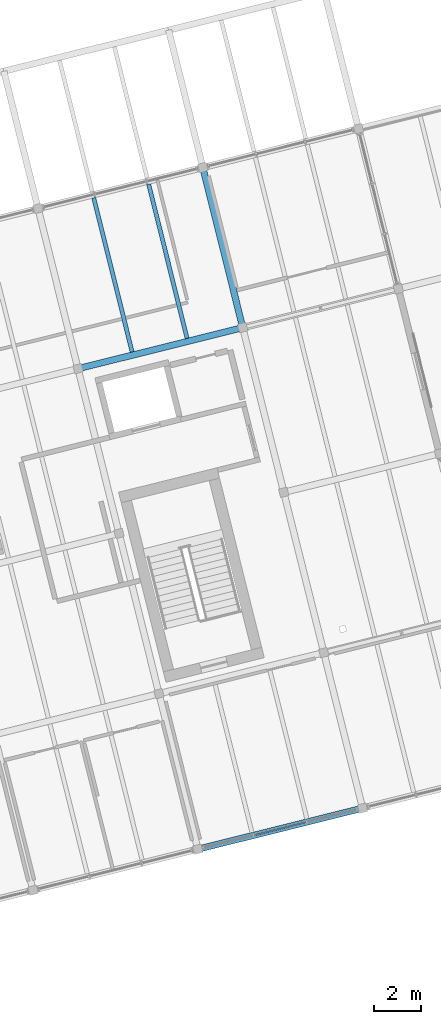
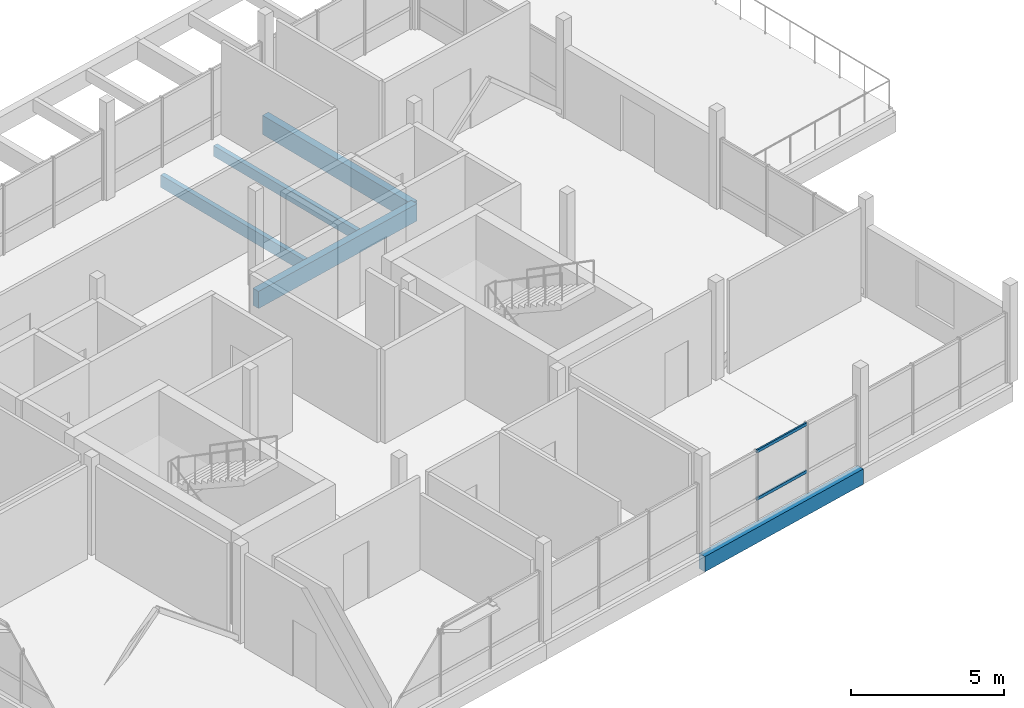
# One storey, part 14 of 28: 5 beams, 2 members, 1 element without a shape of its own.
"""IFC4 building model written with IfcOpenShell, lengths in metres."""

import ifcopenshell
import ifcopenshell.guid

model = None  # the IFC model being written
_history = None  # IfcOwnerHistory: only IFC2X3 demands one
_inside = {}  # id of a spatial element -> (the spatial element, [elements in it])
_under = {}  # id of a project, library or spatial element -> (it, [spatial elements below it])
_declared = {}  # id of a project -> (the project, [libraries it declares])
_typed = {}  # id of a type object -> (the type object, [elements of that type])
_made_of = {}  # id of a material, layer set ... -> (it, [elements and type objects made of it])


def new_model(schema):
    """Start an empty IFC model of exactly this schema.

    Asked for "IFC4X3", IfcOpenShell would pick the latest addendum, in which some entities
    have other attributes; the version numbers below select the first issue.
    IFC2X3 requires an IfcOwnerHistory on every rooted entity: one is made here for all.
    """
    global model, _history
    if schema == "IFC4X3":
        model = ifcopenshell.file(schema_version=(4, 3, 0, 0))
    else:
        model = ifcopenshell.file(schema=schema)
    _inside.clear()
    _under.clear()
    _declared.clear()
    _typed.clear()
    _made_of.clear()
    _history = None
    if model.schema == "IFC2X3":
        org = make("IfcOrganization", Name="unknown")
        user = make(
            "IfcPersonAndOrganization",
            ThePerson=make("IfcPerson", FamilyName="unknown"),
            TheOrganization=org,
        )
        app = make(
            "IfcApplication",
            ApplicationDeveloper=org,
            Version="unknown",
            ApplicationFullName="unknown",
            ApplicationIdentifier="unknown",
        )
        _history = make(
            "IfcOwnerHistory",
            OwningUser=user,
            OwningApplication=app,
            ChangeAction="ADDED",
            CreationDate=0,
        )
    return model


def make(cls, **values):
    """One entity of the class cls with the attributes given. An attribute that is None is left unset."""
    return model.create_entity(
        cls, **{name: value for name, value in values.items() if value is not None}
    )


def rooted(cls, **values):
    """An entity with a GlobalId (a new one), such as an element, a storey or a relation."""
    return make(cls, GlobalId=ifcopenshell.guid.new(), OwnerHistory=_history, **values)


def si_unit(unit_type, name, prefix=None):
    """IfcSIUnit, for example si_unit("LENGTHUNIT", "METRE", prefix="MILLI")."""
    return make("IfcSIUnit", UnitType=unit_type, Prefix=prefix, Name=name)


def assignment(units):
    """IfcUnitAssignment: the units of a project."""
    return None if units is None else make("IfcUnitAssignment", Units=units)


def point(xyz):
    """IfcCartesianPoint."""
    return None if xyz is None else make("IfcCartesianPoint", Coordinates=xyz)


def direction(xyz):
    """IfcDirection."""
    return None if xyz is None else make("IfcDirection", DirectionRatios=xyz)


def frame(location, z_axis=None, x_axis=None):
    """IfcAxis2Placement3D, a coordinate frame: its origin and axes. An axis left out is left unset."""
    return make(
        "IfcAxis2Placement3D",
        Location=point(location),
        Axis=direction(z_axis),
        RefDirection=direction(x_axis),
    )


def frame_2d(location, x_axis=None):
    """IfcAxis2Placement2D, a coordinate frame in the plane: its origin and x axis."""
    return make(
        "IfcAxis2Placement2D", Location=point(location), RefDirection=direction(x_axis)
    )


def origin():
    """The frame at (0, 0, 0) with its axes left unset."""
    return frame((0.0, 0.0, 0.0))


def origin_2d():
    """The frame at (0, 0) in the plane with its x axis left unset."""
    return frame_2d((0.0, 0.0))


def place(relative_to, where):
    """IfcLocalPlacement: puts the frame where relative to a parent placement (None: the world)."""
    return make(
        "IfcLocalPlacement", PlacementRelTo=relative_to, RelativePlacement=where
    )


def context(
    kind, dimensions, precision=None, world=None, true_north=None, identifier=None
):
    """IfcGeometricRepresentationContext, for example the 3D "Model" context."""
    return make(
        "IfcGeometricRepresentationContext",
        ContextIdentifier=identifier,
        ContextType=kind,
        CoordinateSpaceDimension=dimensions,
        Precision=precision,
        WorldCoordinateSystem=world,
        TrueNorth=true_north,
    )


def subcontext(parent, identifier, kind, view, scale=None):
    """IfcGeometricRepresentationSubContext, for example "Body" below "Model"."""
    return make(
        "IfcGeometricRepresentationSubContext",
        ContextIdentifier=identifier,
        ContextType=kind,
        ParentContext=parent,
        TargetScale=scale,
        TargetView=view,
    )


def project(units=None, contexts=None):
    """IfcProject with its units and contexts."""
    return rooted(
        "IfcProject",
        Name="project",
        RepresentationContexts=contexts,
        UnitsInContext=assignment(units),
    )


def spatial(cls, under=None, at=None, **own):
    """A site, building, storey or space (cls), placed at a placement, below another one or the project."""
    s = rooted(cls, ObjectPlacement=at, **own)
    if under is not None:
        _under.setdefault(under.id(), (under, []))[1].append(s)
    return s


def profile(cls, at=None, kind="AREA", **sizes):
    """A parametric profile (cls). Its sizes go by their IFC names, for example OverallWidth=200.0."""
    return make(cls, ProfileType=kind, Position=at, **sizes)


def rectangle(**sizes):
    """IfcRectangleProfileDef."""
    return profile("IfcRectangleProfileDef", **sizes)


def hollow_rectangle(**sizes):
    """IfcRectangleHollowProfileDef."""
    return profile("IfcRectangleHollowProfileDef", **sizes)


def extrude(swept, where, along, depth):
    """IfcExtrudedAreaSolid: the profile swept, set in the frame where, extruded along a direction by depth."""
    return make(
        "IfcExtrudedAreaSolid",
        SweptArea=swept,
        Position=where,
        ExtrudedDirection=direction(along),
        Depth=depth,
    )


def shape(context_of_items, identifier, shape_type, items):
    """IfcShapeRepresentation: the items that make up one representation, for example the "Body"."""
    return make(
        "IfcShapeRepresentation",
        ContextOfItems=context_of_items,
        RepresentationIdentifier=identifier,
        RepresentationType=shape_type,
        Items=items,
    )


def material(Name=None, Category=None):
    """IfcMaterial."""
    return make("IfcMaterial", Name=Name, Category=Category)


def layer(
    of_material, thickness, ventilated=None, Name=None, Category=None, Priority=None
):
    """IfcMaterialLayer: one layer of a wall or slab, of a material (None: an air gap)."""
    return make(
        "IfcMaterialLayer",
        Material=of_material,
        LayerThickness=thickness,
        IsVentilated=ventilated,
        Name=Name,
        Category=Category,
        Priority=Priority,
    )


def layer_set(layers, Name=None):
    """IfcMaterialLayerSet."""
    return make("IfcMaterialLayerSet", MaterialLayers=layers, LayerSetName=Name)


def material_profile(
    of_material, cross_section, Name=None, Category=None, Priority=None
):
    """IfcMaterialProfile: a cross section and its material."""
    return make(
        "IfcMaterialProfile",
        Name=Name,
        Material=of_material,
        Profile=cross_section,
        Priority=Priority,
        Category=Category,
    )


def profile_set(profiles, Name=None, composite=None):
    """IfcMaterialProfileSet."""
    return make(
        "IfcMaterialProfileSet",
        Name=Name,
        MaterialProfiles=profiles,
        CompositeProfile=composite,
    )


def made_of(thing, what):
    """Note that an element or type object is made of a material, layer set ...; save() writes the relation."""
    if what is not None:
        _made_of.setdefault(what.id(), (what, []))[1].append(thing)
    return thing


def type_object(cls, material=None, **own):
    """A type object (cls), such as IfcWallType, which elements share."""
    return made_of(rooted(cls, **own), material)


def element(
    cls,
    number,
    at=None,
    inside=None,
    cuts=None,
    type_object=None,
    material=None,
    context=None,
    identifier="Body",
    shape_type=None,
    held_by="IfcProductDefinitionShape",
    body=None,
    shapes=None,
    **own,
):
    """One element of the class cls, such as IfcWall. Its Tag is "e" and its number.

    at: its placement. inside: the storey or other place that contains it. cuts: it is an
    opening in that element (IfcRelVoidsElement). A single representation is given by context,
    identifier, shape_type and body (its items); several are given by shapes. held_by: the class
    of the entity that holds the representations. save() writes the other relations.
    """
    e = rooted(cls, Tag="e%d" % number, ObjectPlacement=at, **own)
    if body is not None:
        shapes = [shape(context, identifier, shape_type, body)]
    if shapes is not None:
        e.Representation = make(held_by, Representations=shapes)
    if inside is not None:
        _inside.setdefault(inside.id(), (inside, []))[1].append(e)
    if cuts is not None:
        rooted(
            "IfcRelVoidsElement", RelatingBuildingElement=cuts, RelatedOpeningElement=e
        )
    if type_object is not None:
        _typed.setdefault(type_object.id(), (type_object, []))[1].append(e)
    return made_of(e, material)


def aggregate(whole, parts):
    """IfcRelAggregates: a whole, such as a stair, and the parts it consists of."""
    return rooted("IfcRelAggregates", RelatingObject=whole, RelatedObjects=parts)


def save(model, path):
    """Write the relations noted so far, then the file.

    IfcRelAggregates (storeys below a building ...), IfcRelContainedInSpatialStructure (elements
    in a storey), IfcRelDefinesByType, IfcRelAssociatesMaterial and IfcRelDeclares: one each for
    every whole, place, type object, material and project.
    """
    for whole, parts in _under.values():
        aggregate(whole, parts)
    for where, things in _inside.values():
        rooted(
            "IfcRelContainedInSpatialStructure",
            RelatedElements=things,
            RelatingStructure=where,
        )
    for kind, things in _typed.values():
        rooted("IfcRelDefinesByType", RelatedObjects=things, RelatingType=kind)
    for what, things in _made_of.values():
        rooted("IfcRelAssociatesMaterial", RelatedObjects=things, RelatingMaterial=what)
    for by, libraries in _declared.values():
        rooted("IfcRelDeclares", RelatingContext=by, RelatedDefinitions=libraries)
    model.write(path)


model = new_model("IFC4")

# Units and contexts
model_context = context("Model", 3, precision=1e-05, world=origin(), true_north=direction((0.0, 1.0)))
body_context = subcontext(model_context, "Body", "Model", "MODEL_VIEW")
ifc_project = project(units=[si_unit("LENGTHUNIT", "METRE"), si_unit("AREAUNIT", "SQUARE_METRE"), si_unit("VOLUMEUNIT", "CUBIC_METRE"), si_unit("PLANEANGLEUNIT", "RADIAN"), si_unit("MASSUNIT", "GRAM", prefix="KILO")], contexts=[model_context])

# Site, building, storey
site_placement = place(None, origin())
site = spatial("IfcSite", under=ifc_project, at=site_placement, CompositionType="ELEMENT")
building_placement = place(site_placement, origin())
building = spatial("IfcBuilding", under=site, at=building_placement, Name="Meriwether Solvik Hall", CompositionType="ELEMENT")
storey_placement = place(building_placement, frame((0.0, 0.0, 45.60009765625)))
storey = spatial("IfcBuildingStorey", under=building, at=storey_placement, Name="L11", CompositionType="ELEMENT", Elevation=45.60009765625)

# Beams
ifc_material_1 = material(Name="Glulam Douglas-Fir 24F-V8 GL28h", Category="wood")
ifc_material_profile_1 = material_profile(ifc_material_1, rectangle(XDim=0.27294921875, YDim=0.610107421875, at=origin_2d()), Name="GLB-273X610")
ifc_profile_set_1 = profile_set([ifc_material_profile_1], Name="Glulam Douglas-Fir 24F-V8 GL28h")
beam_type_1 = type_object("IfcBeamType", Name="BM-GL-273X610", PredefinedType="SPANDREL", material=ifc_profile_set_1)
beam_1_placement = place(storey_placement, frame((89.946533203125, 46.522216796875, -0.505126953125), z_axis=(0.970291911955, 0.241937193493, 0.0), x_axis=(-0.241937193493, 0.970291911955, 0.0)))
element("IfcBeam", 1, at=beam_1_placement, inside=storey, type_object=beam_type_1, Name="Tower Girder TA:T4-T5 (L11)", PredefinedType="SPANDREL", context=body_context, shape_type="SweptSolid", body=[
    extrude(rectangle(XDim=0.27294921875, YDim=0.610107421875, at=origin_2d()), origin(), (0.0, 0.0, 1.0), 7.199951171875),
])
ifc_material_2 = material(Name="Glulam Douglas-Fir 24F-V8 GL28h", Category="wood")
ifc_material_profile_2 = material_profile(ifc_material_2, rectangle(XDim=0.27294921875, YDim=0.68505859375, at=origin_2d()), Name="GLB-273X685")
ifc_profile_set_2 = profile_set([ifc_material_profile_2], Name="Glulam Douglas-Fir 24F-V8 GL28h")
beam_type_2 = type_object("IfcBeamType", Name="BM-GL-273X685", PredefinedType="BEAM", material=ifc_profile_set_2)
beam_2_placement = place(storey_placement, frame((84.8662109375, 66.8984375, -0.54248046875), z_axis=(0.970291911955, 0.241937193493, 0.0), x_axis=(-0.241937193493, 0.970291911955, 0.0)))
element("IfcBeam", 2, at=beam_2_placement, inside=storey, type_object=beam_type_2, Name="Tower Girder TD:T4-T5 (L11)", PredefinedType="BEAM", context=body_context, shape_type="SweptSolid", body=[
    extrude(rectangle(XDim=0.27294921875, YDim=0.68505859375, at=origin_2d()), origin(), (0.0, 0.0, 1.0), 7.199951171875),
])
ifc_material_3 = material(Name="Glulam Douglas-Fir 24F-V8 GL28h", Category="wood")
ifc_material_profile_3 = material_profile(ifc_material_3, rectangle(XDim=0.27294921875, YDim=0.760009765625, at=origin_2d()), Name="GLB-273X760")
ifc_profile_set_3 = profile_set([ifc_material_profile_3], Name="Glulam Douglas-Fir 24F-V8 GL28h")
beam_type_3 = type_object("IfcBeamType", Name="BM-GL-273X760", PredefinedType="BEAM", material=ifc_profile_set_3)
beam_3_placement = place(storey_placement, frame((91.852294921875, 68.640380859375, -0.580078125), z_axis=(-0.241911879182, 0.970298223594, 0.0), x_axis=(-0.970298223594, -0.241911879182, 0.0)))
element("IfcBeam", 3, at=beam_3_placement, inside=storey, type_object=beam_type_3, Name="Tower Girder T5:TD-TE (L11)", PredefinedType="BEAM", context=body_context, shape_type="SweptSolid", body=[
    extrude(rectangle(XDim=0.27294921875, YDim=0.760009765625, at=origin_2d()), origin(), (0.0, 0.0, 1.0), 7.0),
])

# Curtain wall, members
ifc_material_4 = material(Name="Thermally Broken Anodised Aluminium 6063-T6 and Low-E Glass", Category="aluminium")
ifc_layer = layer(ifc_material_4, 0.179931640625)
ifc_layer_set = layer_set([ifc_layer], Name="Thermally Broken Anodised Aluminium 6063-T6 and Low-E Glass")
curtain_wall_type = type_object("IfcCurtainWallType", Name="CW-UNIT-E", PredefinedType="USERDEFINED", material=ifc_layer_set)
curtain_wall_placement = place(storey_placement, origin())
curtain_wall = element("IfcCurtainWall", 4, at=curtain_wall_placement, inside=storey, type_object=curtain_wall_type, Name="Curtain Wall E0_B3 (L11)", ObjectType="UNITISED CURTAIN WALL", PredefinedType="USERDEFINED")
ifc_material_5 = material(Name="Anodised Aluminium 6063-T6", Category="aluminium")
ifc_material_profile_4 = material_profile(ifc_material_5, hollow_rectangle(XDim=0.06005859375, YDim=0.1201171875, WallThickness=0.00390625, at=origin_2d()), Name="CWT-60X120")
ifc_profile_set_4 = profile_set([ifc_material_profile_4], Name="Anodised Aluminium 6063-T6")
member_type = type_object("IfcMemberType", Name="CW-TRN-60X120", PredefinedType="USERDEFINED", material=ifc_profile_set_4)
member_1_placement = place(storey_placement, frame((94.541015625, 47.667724609375, 0.8369140625), z_axis=(-0.970313054834, -0.241852383943, 0.0), x_axis=(0.241852383943, -0.970313054834, 0.0)))
member_1 = element("IfcMember", 5, at=member_1_placement, type_object=member_type, Name="Curtain Wall Transom 2-sill", ObjectType="TRANSOM", PredefinedType="USERDEFINED", context=body_context, shape_type="SweptSolid", body=[
    extrude(hollow_rectangle(XDim=0.06005859375, YDim=0.1201171875, WallThickness=0.00390625, at=origin_2d()), origin(), (0.0, 0.0, 1.0), 2.270263671875),
])
member_2_placement = place(storey_placement, frame((94.541015625, 47.667724609375, 2.72998046875), z_axis=(-0.970313054834, -0.241852383943, 0.0), x_axis=(0.241852383943, -0.970313054834, 0.0)))
member_2 = element("IfcMember", 6, at=member_2_placement, type_object=member_type, Name="Curtain Wall Transom 2-head", ObjectType="TRANSOM", PredefinedType="USERDEFINED", context=body_context, shape_type="SweptSolid", body=[
    extrude(hollow_rectangle(XDim=0.06005859375, YDim=0.1201171875, WallThickness=0.00390625, at=origin_2d()), origin(), (0.0, 0.0, 1.0), 2.270263671875),
])
aggregate(curtain_wall, [member_1, member_2])

# Beams
ifc_material_6 = material(Name="Glulam Douglas-Fir 24F-V8 GL28h", Category="wood")
ifc_material_profile_5 = material_profile(ifc_material_6, rectangle(XDim=0.175048828125, YDim=0.419921875, at=origin_2d()), Name="GLJ-175X420")
ifc_profile_set_5 = profile_set([ifc_material_profile_5], Name="Glulam Douglas-Fir 24F-V8 GL28h")
beam_type_4 = type_object("IfcBeamType", Name="JST-GL-175X420", PredefinedType="JOIST", material=ifc_profile_set_5)
beam_4_placement = place(storey_placement, frame((89.49169921875, 68.187255859375, -0.41015625), z_axis=(-0.241930176813, 0.9702936615, 0.0), x_axis=(-0.9702936615, -0.241930176813, 0.0)))
element("IfcBeam", 7, at=beam_4_placement, inside=storey, type_object=beam_type_4, Name="Glulam Floor Joist T4/TD-J2 (L11)", PredefinedType="JOIST", context=body_context, shape_type="SweptSolid", body=[
    extrude(rectangle(XDim=0.175048828125, YDim=0.419921875, at=origin_2d()), origin(), (0.0, 0.0, 1.0), 6.737060546875),
])
ifc_material_7 = material(Name="Glulam Douglas-Fir 24F-V8 GL28h", Category="wood")
ifc_material_profile_6 = material_profile(ifc_material_7, rectangle(XDim=0.175048828125, YDim=0.4951171875, at=origin_2d()), Name="GLJ-175X495")
ifc_profile_set_6 = profile_set([ifc_material_profile_6], Name="Glulam Douglas-Fir 24F-V8 GL28h")
beam_type_5 = type_object("IfcBeamType", Name="JST-GL-175X495", PredefinedType="JOIST", material=ifc_profile_set_6)
beam_5_placement = place(storey_placement, frame((87.1630859375, 67.606689453125, -0.447509765625), z_axis=(-0.241930176813, 0.9702936615, 0.0), x_axis=(-0.9702936615, -0.241930176813, 0.0)))
element("IfcBeam", 8, at=beam_5_placement, inside=storey, type_object=beam_type_5, Name="Glulam Floor Joist T4/TD-J1 (L11)", PredefinedType="JOIST", context=body_context, shape_type="SweptSolid", body=[
    extrude(rectangle(XDim=0.175048828125, YDim=0.4951171875, at=origin_2d()), origin(), (0.0, 0.0, 1.0), 6.737060546875),
])

save(model, "model.ifc")
